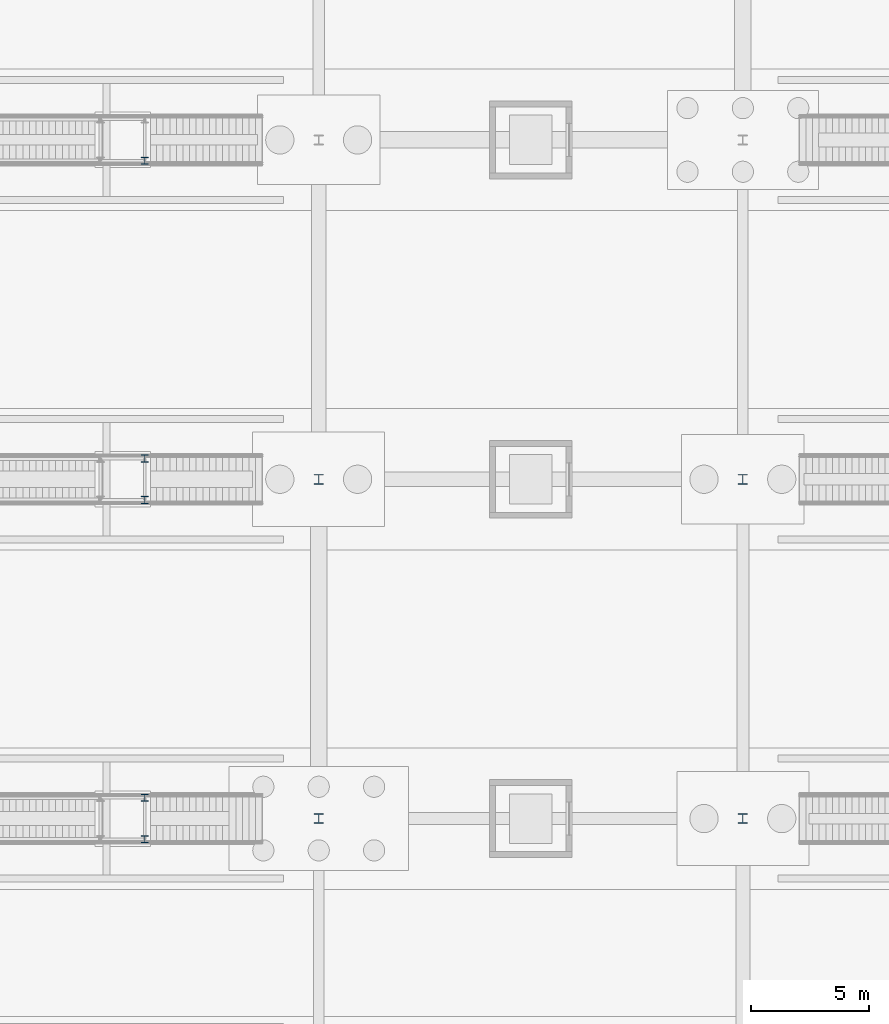
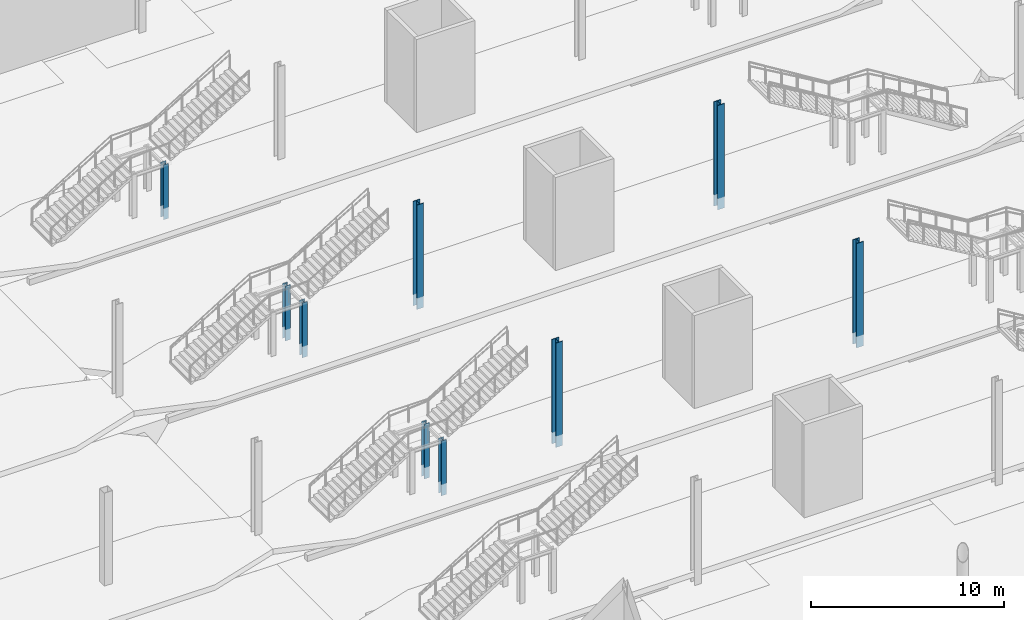
# One storey, part 15 of 115: 9 columns.
"""IFC4 building model written with IfcOpenShell, lengths in metres."""

from ifc_helpers import new_model, si_unit, direction, frame, origin, origin_2d, place, context, subcontext, project, spatial, i_section, extrude, material, material_profile, profile_set, type_object, element, save


model = new_model("IFC4")

# Units and contexts
model_context = context("Model", 3, precision=1e-05, world=origin(), true_north=direction((0.0, 1.0)))
body_context = subcontext(model_context, "Body", "Model", "MODEL_VIEW")
ifc_project = project(units=[si_unit("LENGTHUNIT", "METRE"), si_unit("AREAUNIT", "SQUARE_METRE"), si_unit("VOLUMEUNIT", "CUBIC_METRE"), si_unit("PLANEANGLEUNIT", "RADIAN"), si_unit("MASSUNIT", "GRAM", prefix="KILO")], contexts=[model_context])

# Site, building, storey
site_placement = place(None, origin())
site = spatial("IfcSite", under=ifc_project, at=site_placement, CompositionType="ELEMENT")
building_placement = place(site_placement, origin())
building = spatial("IfcBuilding", under=site, at=building_placement, Name="Tamarisk Ironworks Central Station", CompositionType="ELEMENT")
storey_placement = place(building_placement, origin())
storey = spatial("IfcBuildingStorey", under=building, at=storey_placement, Name="L00", CompositionType="ELEMENT", Elevation=0.0)

# Columns
ifc_material = material(Name="Structural steel S355J2", Category="steel")
ifc_material_profile_1 = material_profile(ifc_material, i_section(OverallWidth=0.408935546875, OverallDepth=0.425048828125, WebThickness=0.02490234375, FlangeThickness=0.0390625, at=origin_2d()), Name="HD 400x421")
ifc_profile_set_1 = profile_set([ifc_material_profile_1], Name="Structural steel S355J2")
column_type_1 = type_object("IfcColumnType", Name="COL-S01", PredefinedType="COLUMN", material=ifc_profile_set_1)
for number, where, z_axis, x_axis, name in (
    (1, (72.0, 36.0, 0.0), (0.0, 0.0, 1.0), (1.0, 0.0, 0.0), "L00 column V2-09D"),
    (2, (72.0, 50.39990234375, 0.0), (0.0, 0.0, 1.0), (1.0, 0.0, 0.0), "L00 column V2-09E"),
    (3, (90.0, 36.0, 0.0), (0.0, 0.0, 1.0), (1.0, 0.0, 0.0), "L00 column V2-12D"),
    (4, (90.0, 50.39990234375, 0.0), (0.0, 0.0, 1.0), (1.0, 0.0, 0.0), "L00 column V2-12E"),
):
    element("IfcColumn", number, at=place(storey_placement, frame(where, z_axis=z_axis, x_axis=x_axis)), inside=storey, type_object=column_type_1, Name=name, PredefinedType="COLUMN", context=body_context, shape_type="SweptSolid", body=[
        extrude(i_section(OverallWidth=0.408935546875, OverallDepth=0.425048828125, WebThickness=0.02490234375, FlangeThickness=0.0390625, at=origin_2d()), origin(), (0.0, 0.0, 1.0), 6.60009765625),
    ])
ifc_material_profile_2 = material_profile(ifc_material, i_section(OverallWidth=0.300048828125, OverallDepth=0.300048828125, WebThickness=0.010986328125, FlangeThickness=0.01904296875, at=origin_2d()), Name="HEB 300")
ifc_profile_set_2 = profile_set([ifc_material_profile_2], Name="Structural steel S355J2")
column_type_2 = type_object("IfcColumnType", Name="COL-S12", PredefinedType="COLUMN", material=ifc_profile_set_2)
for number, where, z_axis, x_axis, name in (
    (5, (64.6201171875, 35.1201171875, 0.0), (0.0, 0.0, 1.0), (1.0, 0.0, 0.0), "ST-P2A mid-landing support column 2"),
    (6, (64.6201171875, 36.8798828125, 0.0), (0.0, 0.0, 1.0), (1.0, 0.0, 0.0), "ST-P2A mid-landing support column 4"),
    (7, (64.6201171875, 49.52001953125, 0.0), (0.0, 0.0, 1.0), (1.0, 0.0, 0.0), "ST-P3A mid-landing support column 2"),
    (8, (64.6201171875, 51.280029296875, 0.0), (0.0, 0.0, 1.0), (1.0, 0.0, 0.0), "ST-P3A mid-landing support column 4"),
    (9, (64.6201171875, 63.919921875, 0.0), (0.0, 0.0, 1.0), (1.0, 0.0, 0.0), "ST-P4A mid-landing support column 2"),
):
    element("IfcColumn", number, at=place(storey_placement, frame(where, z_axis=z_axis, x_axis=x_axis)), inside=storey, type_object=column_type_2, Name=name, PredefinedType="COLUMN", context=body_context, shape_type="SweptSolid", body=[
        extrude(i_section(OverallWidth=0.300048828125, OverallDepth=0.300048828125, WebThickness=0.010986328125, FlangeThickness=0.01904296875, at=origin_2d()), origin(), (0.0, 0.0, 1.0), 3.469970703125),
    ])

save(model, "model.ifc")
